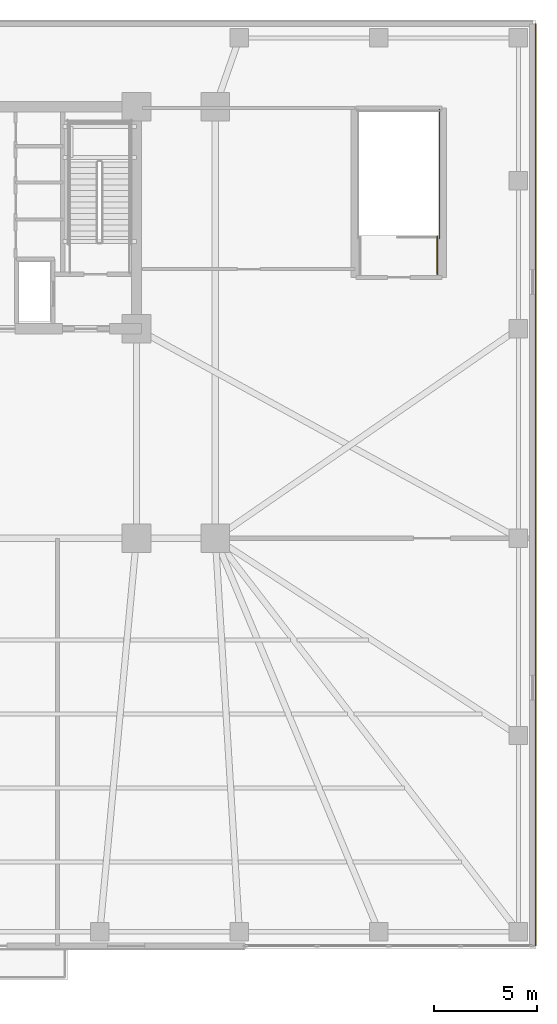
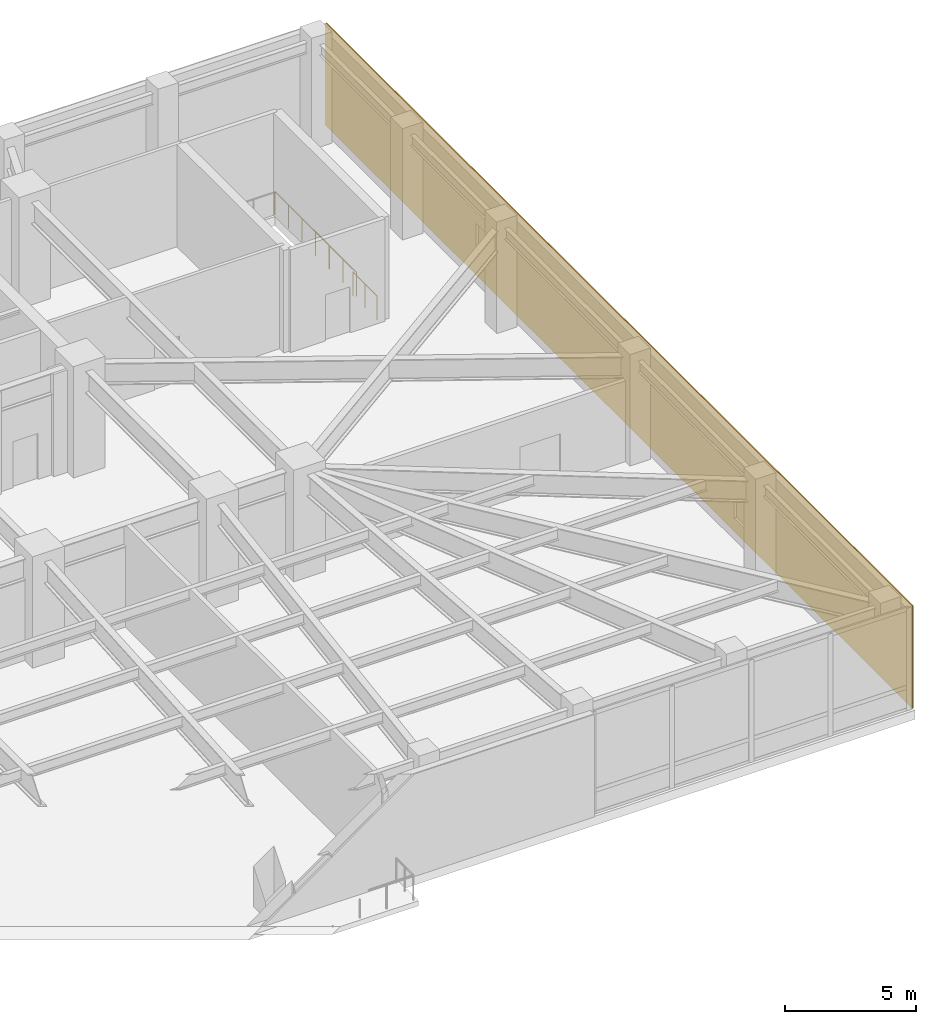
# One storey, part 15 of 15: 2 railings, 1 covering.
"""IFC4 building model written with IfcOpenShell, lengths in metres."""

from ifc_helpers import new_model, si_unit, direction, frame, frame_2d, origin, origin_2d, place, context, subcontext, project, spatial, rectangle, circle, extrude, material, layer, layer_set, type_object, element, save


model = new_model("IFC4")

# Units and contexts
model_context = context("Model", 3, precision=1e-05, world=origin(), true_north=direction((0.0, 1.0)))
body_context = subcontext(model_context, "Body", "Model", "MODEL_VIEW")
ifc_project = project(units=[si_unit("LENGTHUNIT", "METRE"), si_unit("AREAUNIT", "SQUARE_METRE"), si_unit("VOLUMEUNIT", "CUBIC_METRE"), si_unit("PLANEANGLEUNIT", "RADIAN"), si_unit("MASSUNIT", "GRAM", prefix="KILO")], contexts=[model_context])

# Site, building, storey
site_placement = place(None, origin())
site = spatial("IfcSite", under=ifc_project, at=site_placement, CompositionType="ELEMENT")
building_placement = place(site_placement, origin())
building = spatial("IfcBuilding", under=site, at=building_placement, Name="Yelkora Congress Tower", CompositionType="ELEMENT")
storey_placement = place(building_placement, frame((0.0, 0.0, 25.199951171875)))
storey = spatial("IfcBuildingStorey", under=building, at=storey_placement, Name="L05", CompositionType="ELEMENT", Elevation=25.199951171875)

# Covering
ifc_material_1 = material(Name="Anatolian honed limestone ashlar", Category="masonry")
ifc_layer_1 = layer(ifc_material_1, 0.050048828125)
ifc_layer_set_1 = layer_set([ifc_layer_1], Name="Anatolian honed limestone ashlar")
covering_type = type_object("IfcCoveringType", Name="COV-CLAD-LIMESTONE-50", PredefinedType="CLADDING", material=ifc_layer_set_1)
covering_placement = place(storey_placement, frame((73.199951171875, 50.239990234375, 0.0), z_axis=(0.0, 0.0, 1.0), x_axis=(0.0, -1.0, 0.0)))
element("IfcCovering", 1, at=covering_placement, inside=storey, type_object=covering_type, Name="L05 Anatolian Limestone Cladding EW-L05-E03", PredefinedType="CLADDING", context=body_context, shape_type="SweptSolid", body=[
    extrude(rectangle(XDim=44.8798828125, YDim=0.050048828125, at=frame_2d((22.43994140625, 0.0))), origin(), (0.0, 0.0, 1.0), 4.780029296875),
])

# Railings
ifc_material_2 = material(Name="Painted galvanised steel stair well guard with vertical infill", Category="steel")
ifc_layer_2 = layer(ifc_material_2, 0.06005859375)
ifc_layer_set_2 = layer_set([ifc_layer_2], Name="Painted galvanised steel stair well guard with vertical infill")
railing_type = type_object("IfcRailingType", Name="RAIL-STAIR-GUARD-1120", PredefinedType="GUARDRAIL", material=ifc_layer_set_2)
railing_1_placement = place(storey_placement, frame((68.510009765625, 39.800048828125, 0.0)))
element("IfcRailing", 2, at=railing_1_placement, inside=storey, type_object=railing_type, Name="ST-P2 L05 Top Stair-Well Guardrail 2", PredefinedType="GUARDRAIL", context=body_context, shape_type="SweptSolid", body=[
    extrude(circle(Radius=0.02392578125, at=origin_2d()), frame((0.0, 0.0, 1.09619140625), z_axis=(0.0, 1.0, 0.0), x_axis=(-1.0, 0.0, 0.0)), (0.0, 0.0, 1.0), 6.25),
    extrude(circle(Radius=0.02099609375, at=origin_2d()), origin(), (0.0, 0.0, 1.0), 1.072021484375),
    extrude(circle(Radius=0.02099609375, at=origin_2d()), frame((0.0, 1.041748046875, 0.0)), (0.0, 0.0, 1.0), 1.072021484375),
    extrude(circle(Radius=0.02099609375, at=origin_2d()), frame((0.0, 2.083251953125, 0.0)), (0.0, 0.0, 1.0), 1.072021484375),
    extrude(circle(Radius=0.02099609375, at=origin_2d()), frame((0.0, 3.125, 0.0)), (0.0, 0.0, 1.0), 1.072021484375),
    extrude(circle(Radius=0.02099609375, at=origin_2d()), frame((0.0, 4.166748046875, 0.0)), (0.0, 0.0, 1.0), 1.072021484375),
    extrude(circle(Radius=0.02099609375, at=origin_2d()), frame((0.0, 5.208251953125, 0.0)), (0.0, 0.0, 1.0), 1.072021484375),
    extrude(circle(Radius=0.02099609375, at=origin_2d()), frame((0.0, 6.25, 0.0)), (0.0, 0.0, 1.0), 1.072021484375),
])
railing_2_placement = place(storey_placement, frame((68.409912109375, 38.050048828125, 0.0)))
element("IfcRailing", 3, at=railing_2_placement, inside=storey, type_object=railing_type, Name="ST-P2 L05 Top Stair-Well Guardrail 5", PredefinedType="GUARDRAIL", context=body_context, shape_type="SweptSolid", body=[
    extrude(circle(Radius=0.02392578125, at=origin_2d()), frame((0.0, 0.0, 1.09619140625), z_axis=(0.0, 1.0, 0.0), x_axis=(-1.0, 0.0, 0.0)), (0.0, 0.0, 1.0), 1.849853515625),
    extrude(circle(Radius=0.02099609375, at=origin_2d()), origin(), (0.0, 0.0, 1.0), 1.072021484375),
    extrude(circle(Radius=0.02099609375, at=origin_2d()), frame((0.0, 0.9248046875, 0.0)), (0.0, 0.0, 1.0), 1.072021484375),
    extrude(circle(Radius=0.02099609375, at=origin_2d()), frame((0.0, 1.849853515625, 0.0)), (0.0, 0.0, 1.0), 1.072021484375),
])

save(model, "model.ifc")
